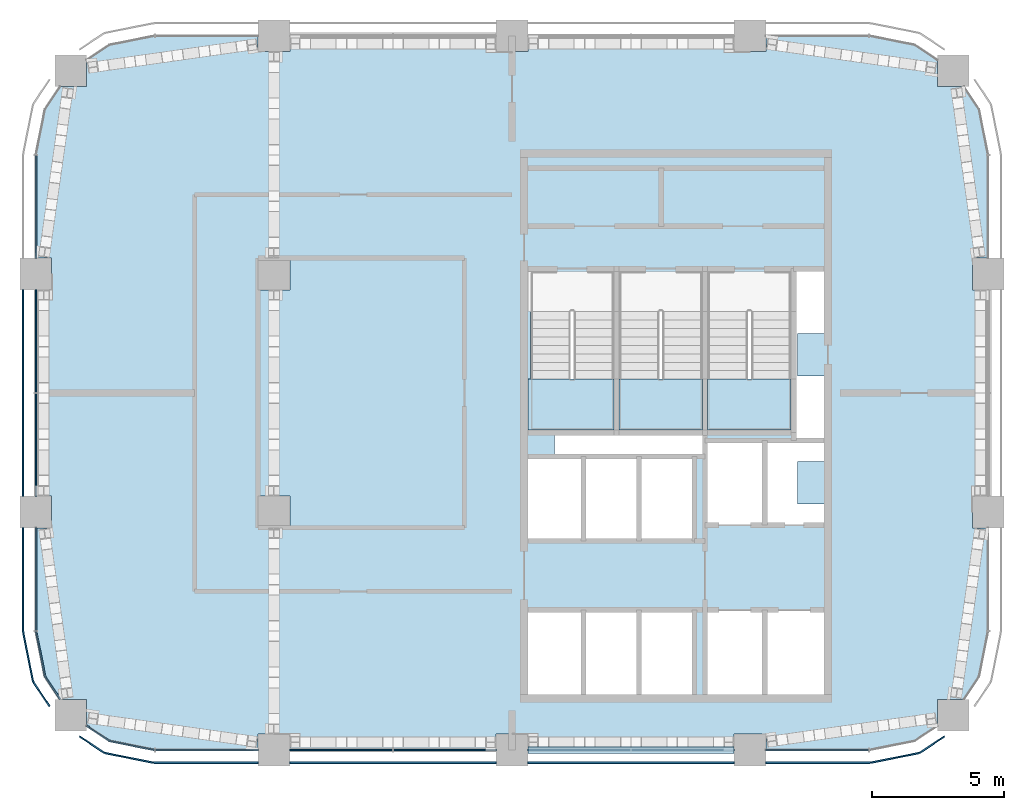
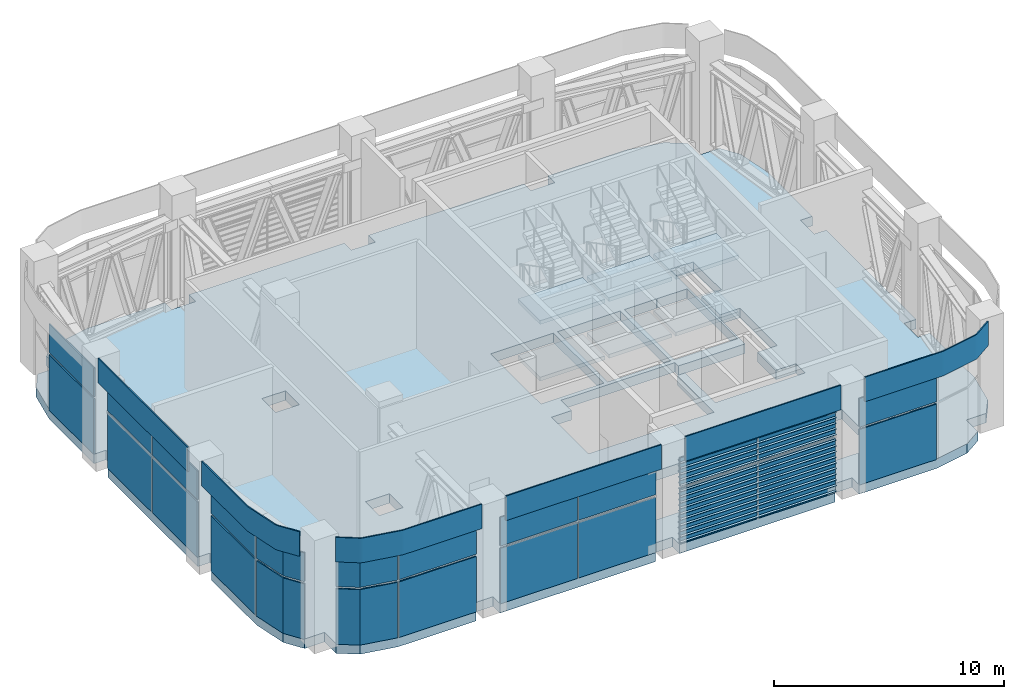
# One storey, part 6 of 14: 45 plates, 7 slabs, 10 elements without a shape of their own.
"""IFC4 building model written with IfcOpenShell, lengths in metres."""

from ifc_helpers import new_model, si_unit, direction, frame, origin, origin_2d, place, context, subcontext, project, spatial, polyline, rectangle, outline, extrude, material, layer, layer_set, type_object, element, aggregate, save


model = new_model("IFC4")

# Units and contexts
model_context = context("Model", 3, precision=1e-05, world=origin(), true_north=direction((0.0, 1.0)))
body_context = subcontext(model_context, "Body", "Model", "MODEL_VIEW")
ifc_project = project(units=[si_unit("LENGTHUNIT", "METRE"), si_unit("AREAUNIT", "SQUARE_METRE"), si_unit("VOLUMEUNIT", "CUBIC_METRE"), si_unit("PLANEANGLEUNIT", "RADIAN"), si_unit("MASSUNIT", "GRAM", prefix="KILO")], contexts=[model_context])

# Site, building, storey
site_placement = place(None, origin())
site = spatial("IfcSite", under=ifc_project, at=site_placement, CompositionType="ELEMENT")
building_placement = place(site_placement, origin())
building = spatial("IfcBuilding", under=site, at=building_placement, Name="Tessera Arch", CompositionType="ELEMENT")
storey_placement = place(building_placement, frame((0.0, 0.0, 295.199951171875)))
storey = spatial("IfcBuildingStorey", under=building, at=storey_placement, Name="L71", CompositionType="ELEMENT", Elevation=295.199951171875)

# Curtain wall, plates
ifc_material_1 = material(Name="CW7 curtain wall")
curtain_wall_type = type_object("IfcCurtainWallType", Name="CW7 curtain wall", PredefinedType="NOTDEFINED", material=ifc_material_1)
curtain_wall_1_placement = place(storey_placement, origin())
curtain_wall_1 = element("IfcCurtainWall", 1, at=curtain_wall_1_placement, inside=storey, type_object=curtain_wall_type, Name="CW7 curtain wall W18.27/0 L71", PredefinedType="NOTDEFINED")
ifc_material_2 = material(Name="Pale anodised aluminium panel", Category="aluminium")
ifc_layer_1 = layer(ifc_material_2, 0.06005859375)
ifc_layer_set_1 = layer_set([ifc_layer_1], Name="CW7 plant wall panel")
plate_type_1 = type_object("IfcPlateType", Name="CW7 plant wall panel", PredefinedType="CURTAIN_PANEL", material=ifc_layer_set_1)
plate_1_placement = place(storey_placement, frame((18.0, 47.534912109375, 0.0), z_axis=(0.0, 0.0, 1.0), x_axis=(0.0, -1.0, 0.0)))
plate_1 = element("IfcPlate", 2, at=plate_1_placement, type_object=plate_type_1, Name="CW7 plant wall panel W18.27/0 1.1", PredefinedType="CURTAIN_PANEL", context=body_context, shape_type="SweptSolid", body=[
    extrude(rectangle(XDim=3.8701171875, YDim=0.06005859375, at=origin_2d()), origin(), (0.0, 0.0, 1.0), 2.93994140625),
])
plate_2_placement = place(storey_placement, frame((18.0, 47.534912109375, 3.06005859375), z_axis=(0.0, 0.0, 1.0), x_axis=(0.0, -1.0, 0.0)))
plate_2 = element("IfcPlate", 3, at=plate_2_placement, type_object=plate_type_1, Name="CW7 plant wall panel W18.27/0 1.2", PredefinedType="CURTAIN_PANEL", context=body_context, shape_type="SweptSolid", body=[
    extrude(rectangle(XDim=3.8701171875, YDim=0.06005859375, at=origin_2d()), origin(), (0.0, 0.0, 1.0), 1.52001953125),
])
aggregate(curtain_wall_1, [plate_1, plate_2])

curtain_wall_2_placement = place(storey_placement, origin())
curtain_wall_2 = element("IfcCurtainWall", 4, at=curtain_wall_2_placement, inside=storey, type_object=curtain_wall_type, Name="CW7 curtain wall W18.27/1 L71", PredefinedType="NOTDEFINED")
plate_3_placement = place(storey_placement, frame((18.0, 42.465087890625, 0.0), z_axis=(0.0, 0.0, 1.0), x_axis=(0.0, -1.0, 0.0)))
plate_3 = element("IfcPlate", 5, at=plate_3_placement, type_object=plate_type_1, Name="CW7 plant wall panel W18.27/1 1.1.1", PredefinedType="CURTAIN_PANEL", context=body_context, shape_type="SweptSolid", body=[
    extrude(rectangle(XDim=3.8701171875, YDim=0.06005859375, at=origin_2d()), origin(), (0.0, 0.0, 1.0), 2.93994140625),
])
plate_4_placement = place(storey_placement, frame((18.0, 42.465087890625, 3.06005859375), z_axis=(0.0, 0.0, 1.0), x_axis=(0.0, -1.0, 0.0)))
plate_4 = element("IfcPlate", 6, at=plate_4_placement, type_object=plate_type_1, Name="CW7 plant wall panel W18.27/1 1.1.2", PredefinedType="CURTAIN_PANEL", context=body_context, shape_type="SweptSolid", body=[
    extrude(rectangle(XDim=3.8701171875, YDim=0.06005859375, at=origin_2d()), origin(), (0.0, 0.0, 1.0), 1.52001953125),
])
plate_5_placement = place(storey_placement, frame((18.0, 38.534912109375, 0.0), z_axis=(0.0, 0.0, 1.0), x_axis=(0.0, -1.0, 0.0)))
plate_5 = element("IfcPlate", 7, at=plate_5_placement, type_object=plate_type_1, Name="CW7 plant wall panel W18.27/1 1.2.1", PredefinedType="CURTAIN_PANEL", context=body_context, shape_type="SweptSolid", body=[
    extrude(rectangle(XDim=3.8701171875, YDim=0.06005859375, at=origin_2d()), origin(), (0.0, 0.0, 1.0), 2.93994140625),
])
plate_6_placement = place(storey_placement, frame((18.0, 38.534912109375, 3.06005859375), z_axis=(0.0, 0.0, 1.0), x_axis=(0.0, -1.0, 0.0)))
plate_6 = element("IfcPlate", 8, at=plate_6_placement, type_object=plate_type_1, Name="CW7 plant wall panel W18.27/1 1.2.2", PredefinedType="CURTAIN_PANEL", context=body_context, shape_type="SweptSolid", body=[
    extrude(rectangle(XDim=3.8701171875, YDim=0.06005859375, at=origin_2d()), origin(), (0.0, 0.0, 1.0), 1.52001953125),
])

curtain_wall_3_placement = place(storey_placement, origin())
curtain_wall_3 = element("IfcCurtainWall", 9, at=curtain_wall_3_placement, inside=storey, type_object=curtain_wall_type, Name="CW7 curtain wall W18.27/2 L71", PredefinedType="NOTDEFINED")
plate_7_placement = place(storey_placement, frame((18.0, 33.465087890625, 0.0), z_axis=(0.0, 0.0, 1.0), x_axis=(0.0, -1.0, 0.0)))
plate_7 = element("IfcPlate", 10, at=plate_7_placement, type_object=plate_type_1, Name="CW7 plant wall panel W18.27/2 1.1", PredefinedType="CURTAIN_PANEL", context=body_context, shape_type="SweptSolid", body=[
    extrude(rectangle(XDim=3.8701171875, YDim=0.06005859375, at=origin_2d()), origin(), (0.0, 0.0, 1.0), 2.93994140625),
])
plate_8_placement = place(storey_placement, origin())
plate_8 = element("IfcPlate", 11, at=plate_8_placement, type_object=plate_type_1, Name="CW7 curved plant wall panel W18.27/2 2.1", PredefinedType="CURTAIN_PANEL", context=body_context, shape_type="SweptSolid", body=[
    extrude(outline(polyline([(18.370849609375, 29.78955078125), (18.03515625, 31.476318359375), (17.976318359375, 31.46484375), (18.314208984375, 29.76611328125), (18.89208984375, 28.9013671875), (18.942138671875, 28.9345703125), (18.370849609375, 29.78955078125)])), origin(), (0.0, 0.0, 1.0), 2.93994140625),
])
plate_9_placement = place(storey_placement, frame((18.0, 33.465087890625, 3.06005859375), z_axis=(0.0, 0.0, 1.0), x_axis=(0.0, -1.0, 0.0)))
plate_9 = element("IfcPlate", 12, at=plate_9_placement, type_object=plate_type_1, Name="CW7 plant wall panel W18.27/2 1.2", PredefinedType="CURTAIN_PANEL", context=body_context, shape_type="SweptSolid", body=[
    extrude(rectangle(XDim=3.8701171875, YDim=0.06005859375, at=origin_2d()), origin(), (0.0, 0.0, 1.0), 1.52001953125),
])
plate_10_placement = place(storey_placement, frame((0.0, 0.0, 3.06005859375)))
plate_10 = element("IfcPlate", 13, at=plate_10_placement, type_object=plate_type_1, Name="CW7 curved plant wall panel W18.27/2 2.2", PredefinedType="CURTAIN_PANEL", context=body_context, shape_type="SweptSolid", body=[
    extrude(outline(polyline([(18.370849609375, 29.78955078125), (18.03515625, 31.476318359375), (17.976318359375, 31.46484375), (18.314208984375, 29.76611328125), (18.89208984375, 28.9013671875), (18.942138671875, 28.9345703125), (18.370849609375, 29.78955078125)])), origin(), (0.0, 0.0, 1.0), 1.52001953125),
])

curtain_wall_4_placement = place(storey_placement, origin())
curtain_wall_4 = element("IfcCurtainWall", 14, at=curtain_wall_4_placement, inside=storey, type_object=curtain_wall_type, Name="CW7 curtain wall S27.18/0 L71", PredefinedType="NOTDEFINED")
plate_11_placement = place(storey_placement, frame((24.465087890625, 27.0, 0.0), z_axis=(0.0, 0.0, 1.0), x_axis=(1.0, 0.0, 0.0)))
plate_11 = element("IfcPlate", 15, at=plate_11_placement, type_object=plate_type_1, Name="CW7 plant wall panel S27.18/0 1.1", PredefinedType="CURTAIN_PANEL", context=body_context, shape_type="SweptSolid", body=[
    extrude(rectangle(XDim=3.8701171875, YDim=0.06005859375, at=origin_2d()), origin(), (0.0, 0.0, 1.0), 2.93994140625),
])
plate_12_placement = place(storey_placement, origin())
plate_12 = element("IfcPlate", 16, at=plate_12_placement, type_object=plate_type_1, Name="CW7 curved plant wall panel S27.18/0 2.1", PredefinedType="CURTAIN_PANEL", context=body_context, shape_type="SweptSolid", body=[
    extrude(outline(polyline([(20.78955078125, 27.370849609375), (19.9345703125, 27.942138671875), (19.9013671875, 27.89208984375), (20.76611328125, 27.314208984375), (22.46484375, 26.976318359375), (22.476318359375, 27.03515625), (20.78955078125, 27.370849609375)])), origin(), (0.0, 0.0, 1.0), 2.93994140625),
])
plate_13_placement = place(storey_placement, frame((24.465087890625, 27.0, 3.06005859375), z_axis=(0.0, 0.0, 1.0), x_axis=(1.0, 0.0, 0.0)))
plate_13 = element("IfcPlate", 17, at=plate_13_placement, type_object=plate_type_1, Name="CW7 plant wall panel S27.18/0 1.2", PredefinedType="CURTAIN_PANEL", context=body_context, shape_type="SweptSolid", body=[
    extrude(rectangle(XDim=3.8701171875, YDim=0.06005859375, at=origin_2d()), origin(), (0.0, 0.0, 1.0), 1.52001953125),
])
plate_14_placement = place(storey_placement, frame((0.0, 0.0, 3.06005859375)))
plate_14 = element("IfcPlate", 18, at=plate_14_placement, type_object=plate_type_1, Name="CW7 curved plant wall panel S27.18/0 2.2", PredefinedType="CURTAIN_PANEL", context=body_context, shape_type="SweptSolid", body=[
    extrude(outline(polyline([(20.78955078125, 27.370849609375), (19.9345703125, 27.942138671875), (19.9013671875, 27.89208984375), (20.76611328125, 27.314208984375), (22.46484375, 26.976318359375), (22.476318359375, 27.03515625), (20.78955078125, 27.370849609375)])), origin(), (0.0, 0.0, 1.0), 1.52001953125),
])

curtain_wall_5_placement = place(storey_placement, origin())
curtain_wall_5 = element("IfcCurtainWall", 19, at=curtain_wall_5_placement, inside=storey, type_object=curtain_wall_type, Name="CW7 curtain wall S27.18/1 L71", PredefinedType="NOTDEFINED")
plate_15_placement = place(storey_placement, frame((29.534912109375, 27.0, 0.0), z_axis=(0.0, 0.0, 1.0), x_axis=(1.0, 0.0, 0.0)))
plate_15 = element("IfcPlate", 20, at=plate_15_placement, type_object=plate_type_1, Name="CW7 plant wall panel S27.18/1 1.1.1", PredefinedType="CURTAIN_PANEL", context=body_context, shape_type="SweptSolid", body=[
    extrude(rectangle(XDim=3.8701171875, YDim=0.06005859375, at=origin_2d()), origin(), (0.0, 0.0, 1.0), 2.93994140625),
])
plate_16_placement = place(storey_placement, frame((29.534912109375, 27.0, 3.06005859375), z_axis=(0.0, 0.0, 1.0), x_axis=(1.0, 0.0, 0.0)))
plate_16 = element("IfcPlate", 21, at=plate_16_placement, type_object=plate_type_1, Name="CW7 plant wall panel S27.18/1 1.1.2", PredefinedType="CURTAIN_PANEL", context=body_context, shape_type="SweptSolid", body=[
    extrude(rectangle(XDim=3.8701171875, YDim=0.06005859375, at=origin_2d()), origin(), (0.0, 0.0, 1.0), 1.52001953125),
])
plate_17_placement = place(storey_placement, frame((33.465087890625, 27.0, 0.0), z_axis=(0.0, 0.0, 1.0), x_axis=(1.0, 0.0, 0.0)))
plate_17 = element("IfcPlate", 22, at=plate_17_placement, type_object=plate_type_1, Name="CW7 plant wall panel S27.18/1 1.2.1", PredefinedType="CURTAIN_PANEL", context=body_context, shape_type="SweptSolid", body=[
    extrude(rectangle(XDim=3.8701171875, YDim=0.06005859375, at=origin_2d()), origin(), (0.0, 0.0, 1.0), 2.93994140625),
])
plate_18_placement = place(storey_placement, frame((33.465087890625, 27.0, 3.06005859375), z_axis=(0.0, 0.0, 1.0), x_axis=(1.0, 0.0, 0.0)))
plate_18 = element("IfcPlate", 23, at=plate_18_placement, type_object=plate_type_1, Name="CW7 plant wall panel S27.18/1 1.2.2", PredefinedType="CURTAIN_PANEL", context=body_context, shape_type="SweptSolid", body=[
    extrude(rectangle(XDim=3.8701171875, YDim=0.06005859375, at=origin_2d()), origin(), (0.0, 0.0, 1.0), 1.52001953125),
])

curtain_wall_6_placement = place(storey_placement, origin())
curtain_wall_6 = element("IfcCurtainWall", 24, at=curtain_wall_6_placement, inside=storey, type_object=curtain_wall_type, Name="CW7 curtain wall S27.18/2 L71", PredefinedType="NOTDEFINED")
plate_19_placement = place(storey_placement, frame((38.534912109375, 27.0, 0.0), z_axis=(0.0, 0.0, 1.0), x_axis=(1.0, 0.0, 0.0)))
plate_19 = element("IfcPlate", 25, at=plate_19_placement, type_object=plate_type_1, Name="CW7 plant wall panel S27.18/2 1.1.1", PredefinedType="CURTAIN_PANEL", context=body_context, shape_type="SweptSolid", body=[
    extrude(rectangle(XDim=3.8701171875, YDim=0.06005859375, at=origin_2d()), origin(), (0.0, 0.0, 1.0), 2.93994140625),
])
plate_20_placement = place(storey_placement, frame((38.534912109375, 27.0, 3.06005859375), z_axis=(0.0, 0.0, 1.0), x_axis=(1.0, 0.0, 0.0)))
plate_20 = element("IfcPlate", 26, at=plate_20_placement, type_object=plate_type_1, Name="CW7 plant wall panel S27.18/2 1.1.2", PredefinedType="CURTAIN_PANEL", context=body_context, shape_type="SweptSolid", body=[
    extrude(rectangle(XDim=3.8701171875, YDim=0.06005859375, at=origin_2d()), origin(), (0.0, 0.0, 1.0), 1.52001953125),
])
plate_21_placement = place(storey_placement, frame((42.465087890625, 27.0, 0.0), z_axis=(0.0, 0.0, 1.0), x_axis=(1.0, 0.0, 0.0)))
plate_21 = element("IfcPlate", 27, at=plate_21_placement, type_object=plate_type_1, Name="CW7 plant wall panel S27.18/2 1.2.1", PredefinedType="CURTAIN_PANEL", context=body_context, shape_type="SweptSolid", body=[
    extrude(rectangle(XDim=3.8701171875, YDim=0.06005859375, at=origin_2d()), origin(), (0.0, 0.0, 1.0), 2.93994140625),
])
plate_22_placement = place(storey_placement, frame((42.465087890625, 27.0, 3.06005859375), z_axis=(0.0, 0.0, 1.0), x_axis=(1.0, 0.0, 0.0)))
plate_22 = element("IfcPlate", 28, at=plate_22_placement, type_object=plate_type_1, Name="CW7 plant wall panel S27.18/2 1.2.2", PredefinedType="CURTAIN_PANEL", context=body_context, shape_type="SweptSolid", body=[
    extrude(rectangle(XDim=3.8701171875, YDim=0.06005859375, at=origin_2d()), origin(), (0.0, 0.0, 1.0), 1.52001953125),
])

curtain_wall_7_placement = place(storey_placement, origin())
curtain_wall_7 = element("IfcCurtainWall", 29, at=curtain_wall_7_placement, inside=storey, type_object=curtain_wall_type, Name="CW7 curtain wall S27.18/3 L71", PredefinedType="NOTDEFINED")
plate_23_placement = place(storey_placement, frame((47.534912109375, 27.0, 0.0), z_axis=(0.0, 0.0, 1.0), x_axis=(1.0, 0.0, 0.0)))
plate_23 = element("IfcPlate", 30, at=plate_23_placement, type_object=plate_type_1, Name="CW7 plant wall panel S27.18/3 1.1", PredefinedType="CURTAIN_PANEL", context=body_context, shape_type="SweptSolid", body=[
    extrude(rectangle(XDim=3.8701171875, YDim=0.06005859375, at=origin_2d()), origin(), (0.0, 0.0, 1.0), 2.93994140625),
])
plate_24_placement = place(storey_placement, frame((47.534912109375, 27.0, 3.06005859375), z_axis=(0.0, 0.0, 1.0), x_axis=(1.0, 0.0, 0.0)))
plate_24 = element("IfcPlate", 31, at=plate_24_placement, type_object=plate_type_1, Name="CW7 plant wall panel S27.18/3 1.2", PredefinedType="CURTAIN_PANEL", context=body_context, shape_type="SweptSolid", body=[
    extrude(rectangle(XDim=3.8701171875, YDim=0.06005859375, at=origin_2d()), origin(), (0.0, 0.0, 1.0), 1.52001953125),
])

# Plate
ifc_material_3 = material(Name="Pale anodised aluminium panel", Category="aluminium")
ifc_layer_2 = layer(ifc_material_3, 0.06005859375)
ifc_layer_set_2 = layer_set([ifc_layer_2], Name="CW7 spandrel panel")
plate_type_2 = type_object("IfcPlateType", Name="CW7 spandrel panel", PredefinedType="CURTAIN_PANEL", material=ifc_layer_set_2)
plate_25_placement = place(storey_placement, frame((17.52001953125, 40.5, 4.7001953125), z_axis=(0.0, 0.0, 1.0), x_axis=(0.0, -1.0, 0.0)))
plate_25 = element("IfcPlate", 32, at=plate_25_placement, type_object=plate_type_2, Name="CW7 spandrel panel W18.27/1", PredefinedType="CURTAIN_PANEL", context=body_context, shape_type="SweptSolid", body=[
    extrude(rectangle(XDim=7.800048828125, YDim=0.06005859375, at=origin_2d()), origin(), (0.0, 0.0, 1.0), 1.300048828125),
])

aggregate(curtain_wall_2, [plate_3, plate_4, plate_5, plate_6, plate_25])

plate_26_placement = place(storey_placement, frame((0.0, 0.0, 4.699951171875)))
plate_26 = element("IfcPlate", 33, at=plate_26_placement, type_object=plate_type_2, Name="CW7 spandrel panel W18.27/2", PredefinedType="CURTAIN_PANEL", context=body_context, shape_type="SweptSolid", body=[
    extrude(outline(polyline([(17.550048828125, 31.500732421875), (17.550048828125, 35.39990234375), (17.489990234375, 35.39990234375), (17.489990234375, 31.499267578125), (17.492431640625, 31.449951171875), (17.499755859375, 31.401123046875), (17.842529296875, 29.677734375), (17.8544921875, 29.6298828125), (17.871337890625, 29.582763671875), (17.892578125, 29.537353515625), (17.91796875, 29.4951171875), (18.4931640625, 28.634765625), (18.54296875, 28.66796875), (17.96875, 29.52734375), (17.945556640625, 29.565673828125), (17.9267578125, 29.605712890625), (17.911865234375, 29.647216796875), (17.90087890625, 29.69091796875), (17.558837890625, 31.411376953125), (17.55224609375, 31.455810546875), (17.550048828125, 31.500732421875)])), origin(), (0.0, 0.0, 1.0), 1.300048828125),
])

aggregate(curtain_wall_3, [plate_7, plate_8, plate_9, plate_10, plate_26])

plate_27_placement = place(storey_placement, frame((0.0, 0.0, 4.699951171875)))
plate_27 = element("IfcPlate", 34, at=plate_27_placement, type_object=plate_type_2, Name="CW7 spandrel panel S27.18/0", PredefinedType="CURTAIN_PANEL", context=body_context, shape_type="SweptSolid", body=[
    extrude(outline(polyline([(20.52734375, 26.96875), (19.66796875, 27.54296875), (19.634765625, 27.4931640625), (20.4951171875, 26.91796875), (20.537353515625, 26.892578125), (20.582763671875, 26.871337890625), (20.6298828125, 26.8544921875), (20.677734375, 26.842529296875), (22.401123046875, 26.499755859375), (22.449951171875, 26.492431640625), (22.499267578125, 26.489990234375), (26.39990234375, 26.489990234375), (26.39990234375, 26.550048828125), (22.500732421875, 26.550048828125), (22.455810546875, 26.55224609375), (22.411376953125, 26.558837890625), (20.69091796875, 26.90087890625), (20.647216796875, 26.911865234375), (20.605712890625, 26.9267578125), (20.565673828125, 26.945556640625), (20.52734375, 26.96875)])), origin(), (0.0, 0.0, 1.0), 1.300048828125),
])

aggregate(curtain_wall_4, [plate_11, plate_12, plate_13, plate_14, plate_27])

plate_28_placement = place(storey_placement, frame((31.5, 26.52001953125, 4.7001953125), z_axis=(0.0, 0.0, 1.0), x_axis=(1.0, 0.0, 0.0)))
plate_28 = element("IfcPlate", 35, at=plate_28_placement, type_object=plate_type_2, Name="CW7 spandrel panel S27.18/1", PredefinedType="CURTAIN_PANEL", context=body_context, shape_type="SweptSolid", body=[
    extrude(rectangle(XDim=7.800048828125, YDim=0.06005859375, at=origin_2d()), origin(), (0.0, 0.0, 1.0), 1.300048828125),
])

aggregate(curtain_wall_5, [plate_15, plate_16, plate_17, plate_18, plate_28])

plate_29_placement = place(storey_placement, frame((40.5, 26.52001953125, 4.7001953125), z_axis=(0.0, 0.0, 1.0), x_axis=(1.0, 0.0, 0.0)))
plate_29 = element("IfcPlate", 36, at=plate_29_placement, type_object=plate_type_2, Name="CW7 spandrel panel S27.18/2", PredefinedType="CURTAIN_PANEL", context=body_context, shape_type="SweptSolid", body=[
    extrude(rectangle(XDim=7.800048828125, YDim=0.06005859375, at=origin_2d()), origin(), (0.0, 0.0, 1.0), 1.300048828125),
])

aggregate(curtain_wall_6, [plate_19, plate_20, plate_21, plate_22, plate_29])

plate_30_placement = place(storey_placement, frame((0.0, 0.0, 4.699951171875)))
plate_30 = element("IfcPlate", 37, at=plate_30_placement, type_object=plate_type_2, Name="CW7 spandrel panel S27.18/3", PredefinedType="CURTAIN_PANEL", context=body_context, shape_type="SweptSolid", body=[
    extrude(outline(polyline([(49.499267578125, 26.550048828125), (45.60009765625, 26.550048828125), (45.60009765625, 26.489990234375), (49.500732421875, 26.489990234375), (49.550048828125, 26.492431640625), (49.598876953125, 26.499755859375), (51.322265625, 26.842529296875), (51.3701171875, 26.8544921875), (51.417236328125, 26.871337890625), (51.462646484375, 26.892578125), (51.5048828125, 26.91796875), (52.365234375, 27.4931640625), (52.33203125, 27.54296875), (51.47265625, 26.96875), (51.434326171875, 26.945556640625), (51.394287109375, 26.9267578125), (51.352783203125, 26.911865234375), (51.30908203125, 26.90087890625), (49.588623046875, 26.558837890625), (49.544189453125, 26.55224609375), (49.499267578125, 26.550048828125)])), origin(), (0.0, 0.0, 1.0), 1.300048828125),
])

aggregate(curtain_wall_7, [plate_23, plate_24, plate_30])

# Slab
ifc_material_4 = material(Name="Concrete C40/50", Category="concrete")
ifc_layer_3 = layer(ifc_material_4, 0.5)
ifc_layer_set_3 = layer_set([ifc_layer_3], Name="Floor slab 500 Concrete C40/50")
slab_type_1 = type_object("IfcSlabType", Name="Floor slab 500 Concrete C40/50", PredefinedType="FLOOR", material=ifc_layer_set_3)
slab_1_placement = place(storey_placement, frame((0.0, 0.0, -0.5)))
element("IfcSlab", 38, at=slab_1_placement, inside=storey, type_object=slab_type_1, Name="Floor slab L71 1", PredefinedType="FLOOR", context=body_context, shape_type="SweptSolid", body=[
    extrude(outline(polyline([(54.0, 31.5), (53.657470703125, 29.77783203125), (53.0830078125, 28.91796875), (52.08203125, 28.91796875), (52.08203125, 27.9169921875), (51.22216796875, 27.342529296875), (49.5, 27.0), (45.60009765625, 27.0), (45.60009765625, 27.60009765625), (44.39990234375, 27.60009765625), (44.39990234375, 27.0), (36.60009765625, 27.0), (36.60009765625, 27.60009765625), (35.39990234375, 27.60009765625), (35.39990234375, 27.0), (27.60009765625, 27.0), (27.60009765625, 27.60009765625), (26.39990234375, 27.60009765625), (26.39990234375, 27.0), (22.5, 27.0), (20.77783203125, 27.342529296875), (19.91796875, 27.9169921875), (19.91796875, 28.91796875), (18.9169921875, 28.91796875), (18.342529296875, 29.77783203125), (18.0, 31.5), (18.0, 35.39990234375), (18.60009765625, 35.39990234375), (18.60009765625, 36.60009765625), (18.0, 36.60009765625), (18.0, 44.39990234375), (18.60009765625, 44.39990234375), (18.60009765625, 45.60009765625), (18.0, 45.60009765625), (18.0, 49.5), (18.342529296875, 51.22216796875), (18.9169921875, 52.08203125), (19.91796875, 52.08203125), (19.91796875, 53.0830078125), (20.77783203125, 53.657470703125), (22.5, 54.0), (26.39990234375, 54.0), (26.39990234375, 53.39990234375), (27.60009765625, 53.39990234375), (27.60009765625, 54.0), (35.39990234375, 54.0), (35.39990234375, 53.39990234375), (36.60009765625, 53.39990234375), (36.60009765625, 54.0), (44.39990234375, 54.0), (44.39990234375, 53.39990234375), (45.60009765625, 53.39990234375), (45.60009765625, 54.0), (49.5, 54.0), (51.22216796875, 53.657470703125), (52.08203125, 53.0830078125), (52.08203125, 52.08203125), (53.0830078125, 52.08203125), (53.657470703125, 51.22216796875), (54.0, 49.5), (54.0, 45.60009765625), (53.39990234375, 45.60009765625), (53.39990234375, 44.39990234375), (54.0, 44.39990234375), (54.0, 36.60009765625), (53.39990234375, 36.60009765625), (53.39990234375, 35.39990234375), (54.0, 35.39990234375), (54.0, 31.5)]), holes=[polyline([(40.800048828125, 29.10009765625), (42.89990234375, 29.10009765625), (42.89990234375, 32.300048828125), (40.800048828125, 32.300048828125), (38.699951171875, 32.300048828125), (36.60009765625, 32.300048828125), (36.60009765625, 29.10009765625), (38.699951171875, 29.10009765625), (40.800048828125, 29.10009765625)]), polyline([(27.60009765625, 35.39990234375), (27.60009765625, 36.60009765625), (26.39990234375, 36.60009765625), (26.39990234375, 35.39990234375), (27.60009765625, 35.39990234375)]), polyline([(37.60009765625, 39.0), (37.60009765625, 38.10009765625), (36.60009765625, 38.10009765625), (36.60009765625, 34.89990234375), (38.699951171875, 34.89990234375), (40.800048828125, 34.89990234375), (42.89990234375, 34.89990234375), (42.89990234375, 38.10009765625), (43.300048828125, 38.10009765625), (43.300048828125, 35.5), (45.550048828125, 35.5), (47.800048828125, 35.5), (47.800048828125, 36.300048828125), (46.800048828125, 36.300048828125), (46.800048828125, 37.89990234375), (47.800048828125, 37.89990234375), (47.800048828125, 38.699951171875), (47.800048828125, 41.14990234375), (46.800048828125, 41.14990234375), (46.800048828125, 42.75), (47.800048828125, 42.75), (47.800048828125, 45.199951171875), (46.64990234375, 45.199951171875), (46.64990234375, 38.699951171875), (45.550048828125, 38.699951171875), (43.300048828125, 38.699951171875), (43.300048828125, 39.0), (37.60009765625, 39.0)]), polyline([(38.219970703125, 43.580078125), (38.219970703125, 43.570068359375), (36.699951171875, 43.570068359375), (36.699951171875, 39.199951171875), (39.85009765625, 39.199951171875), (39.85009765625, 43.570068359375), (38.330078125, 43.570068359375), (38.330078125, 43.580078125), (38.219970703125, 43.580078125)]), polyline([(27.60009765625, 44.39990234375), (27.60009765625, 45.60009765625), (26.39990234375, 45.60009765625), (26.39990234375, 44.39990234375), (27.60009765625, 44.39990234375)]), polyline([(47.800048828125, 32.300048828125), (45.550048828125, 32.300048828125), (43.300048828125, 32.300048828125), (43.300048828125, 29.10009765625), (45.550048828125, 29.10009765625), (47.800048828125, 29.10009765625), (47.800048828125, 32.300048828125)]), polyline([(41.570068359375, 43.580078125), (41.570068359375, 43.570068359375), (40.050048828125, 43.570068359375), (40.050048828125, 39.199951171875), (43.199951171875, 39.199951171875), (43.199951171875, 43.570068359375), (41.679931640625, 43.570068359375), (41.679931640625, 43.580078125), (41.570068359375, 43.580078125)]), polyline([(44.919921875, 43.580078125), (44.919921875, 43.570068359375), (43.39990234375, 43.570068359375), (43.39990234375, 39.199951171875), (46.550048828125, 39.199951171875), (46.550048828125, 43.570068359375), (45.030029296875, 43.570068359375), (45.030029296875, 43.580078125), (44.919921875, 43.580078125)])]), origin(), (0.0, 0.0, 1.0), 0.5),
])

# Plates
ifc_material_5 = material(Name="Aluminium louvre pale metal anodised", Category="aluminium")
ifc_layer_4 = layer(ifc_material_5, 0.02001953125)
ifc_layer_set_4 = layer_set([ifc_layer_4], Name="Plant louvre blade")
plate_type_3 = type_object("IfcPlateType", Name="Plant louvre blade", PredefinedType="USERDEFINED", material=ifc_layer_set_4)
plate_31_placement = place(storey_placement, frame((36.60009765625, 26.875, 0.150146484375), z_axis=(0.0, -0.269001893813, 0.963139647779), x_axis=(1.0, 0.0, 0.0)))
element("IfcPlate", 39, at=plate_31_placement, inside=storey, type_object=plate_type_3, Name="Louvre blade S27.18/2 1", ObjectType="LOUVER", PredefinedType="USERDEFINED", context=body_context, shape_type="SweptSolid", body=[
    extrude(outline(polyline([(0.0, 0.0), (7.7998046875, 0.0), (7.7998046875, 0.25956775902266416), (0.0, 0.25956775902266416), (0.0, 0.0)])), origin(), (0.0, 0.0, -1.0), 0.02001953125),
])
for number, where, z_axis, x_axis, name in (
    (40, (36.60009765625, 26.875, 0.449951171875), (0.0, -0.269874067237, 0.962895626656), (1.0, 0.0, 0.0), "Louvre blade S27.18/2 2"),
    (41, (36.60009765625, 26.875, 0.75), (0.0, -0.269874067237, 0.962895626656), (1.0, 0.0, 0.0), "Louvre blade S27.18/2 3"),
    (42, (36.60009765625, 26.875, 1.050048828125), (0.0, -0.269874067237, 0.962895626656), (1.0, 0.0, 0.0), "Louvre blade S27.18/2 4"),
    (43, (36.60009765625, 26.875, 1.35009765625), (0.0, -0.269874067237, 0.962895626656), (1.0, 0.0, 0.0), "Louvre blade S27.18/2 5"),
):
    element("IfcPlate", number, at=place(storey_placement, frame(where, z_axis=z_axis, x_axis=x_axis)), inside=storey, type_object=plate_type_3, Name=name, ObjectType="LOUVER", PredefinedType="USERDEFINED", context=body_context, shape_type="SweptSolid", body=[
        extrude(outline(polyline([(0.0, 0.0), (7.7998046875, 0.0), (7.7998046875, 0.25963353979311715), (0.0, 0.25963353979311715), (0.0, 0.0)])), origin(), (0.0, 0.0, -1.0), 0.02001953125),
    ])
plate_32_placement = place(storey_placement, frame((36.60009765625, 26.875, 1.650146484375), z_axis=(0.0, -0.269001893813, 0.963139647779), x_axis=(1.0, 0.0, 0.0)))
element("IfcPlate", 44, at=plate_32_placement, inside=storey, type_object=plate_type_3, Name="Louvre blade S27.18/2 6", ObjectType="LOUVER", PredefinedType="USERDEFINED", context=body_context, shape_type="SweptSolid", body=[
    extrude(outline(polyline([(0.0, 0.0), (7.7998046875, 0.0), (7.7998046875, 0.25956775902266416), (0.0, 0.25956775902266416), (0.0, 0.0)])), origin(), (0.0, 0.0, -1.0), 0.02001953125),
])
for number, where, z_axis, x_axis, name in (
    (45, (36.60009765625, 26.875, 1.949951171875), (0.0, -0.269874067237, 0.962895626656), (1.0, 0.0, 0.0), "Louvre blade S27.18/2 7"),
    (46, (36.60009765625, 26.875, 2.25), (0.0, -0.269874067237, 0.962895626656), (1.0, 0.0, 0.0), "Louvre blade S27.18/2 8"),
    (47, (36.60009765625, 26.875, 2.550048828125), (0.0, -0.269874067237, 0.962895626656), (1.0, 0.0, 0.0), "Louvre blade S27.18/2 9"),
    (48, (36.60009765625, 26.875, 2.85009765625), (0.0, -0.269874067237, 0.962895626656), (1.0, 0.0, 0.0), "Louvre blade S27.18/2 10"),
):
    element("IfcPlate", number, at=place(storey_placement, frame(where, z_axis=z_axis, x_axis=x_axis)), inside=storey, type_object=plate_type_3, Name=name, ObjectType="LOUVER", PredefinedType="USERDEFINED", context=body_context, shape_type="SweptSolid", body=[
        extrude(outline(polyline([(0.0, 0.0), (7.7998046875, 0.0), (7.7998046875, 0.25963353979311715), (0.0, 0.25963353979311715), (0.0, 0.0)])), origin(), (0.0, 0.0, -1.0), 0.02001953125),
    ])
plate_33_placement = place(storey_placement, frame((36.60009765625, 26.875, 3.150146484375), z_axis=(0.0, -0.269001893813, 0.963139647779), x_axis=(1.0, 0.0, 0.0)))
element("IfcPlate", 49, at=plate_33_placement, inside=storey, type_object=plate_type_3, Name="Louvre blade S27.18/2 11", ObjectType="LOUVER", PredefinedType="USERDEFINED", context=body_context, shape_type="SweptSolid", body=[
    extrude(outline(polyline([(0.0, 0.0), (7.7998046875, 0.0), (7.7998046875, 0.25956775902266416), (0.0, 0.25956775902266416), (0.0, 0.0)])), origin(), (0.0, 0.0, -1.0), 0.02001953125),
])
for number, where, z_axis, x_axis, name in (
    (50, (36.60009765625, 26.875, 3.449951171875), (0.0, -0.269874067237, 0.962895626656), (1.0, 0.0, 0.0), "Louvre blade S27.18/2 12"),
    (51, (36.60009765625, 26.875, 3.75), (0.0, -0.269874067237, 0.962895626656), (1.0, 0.0, 0.0), "Louvre blade S27.18/2 13"),
    (52, (36.60009765625, 26.875, 4.050048828125), (0.0, -0.269874067237, 0.962895626656), (1.0, 0.0, 0.0), "Louvre blade S27.18/2 14"),
    (53, (36.60009765625, 26.875, 4.35009765625), (0.0, -0.269874067237, 0.962895626656), (1.0, 0.0, 0.0), "Louvre blade S27.18/2 15"),
):
    element("IfcPlate", number, at=place(storey_placement, frame(where, z_axis=z_axis, x_axis=x_axis)), inside=storey, type_object=plate_type_3, Name=name, ObjectType="LOUVER", PredefinedType="USERDEFINED", context=body_context, shape_type="SweptSolid", body=[
        extrude(outline(polyline([(0.0, 0.0), (7.7998046875, 0.0), (7.7998046875, 0.25963353979311715), (0.0, 0.25963353979311715), (0.0, 0.0)])), origin(), (0.0, 0.0, -1.0), 0.02001953125),
    ])

# Stair, slabs
ifc_material_6 = material(Name="Concrete C40/50", Category="concrete")
stair_type = type_object("IfcStairType", Name="Dogleg stair 1520", PredefinedType="HALF_TURN_STAIR", material=ifc_material_6)
stair_1_placement = place(storey_placement, origin())
stair_1 = element("IfcStair", 54, at=stair_1_placement, inside=storey, type_object=stair_type, Name="L71 S1a", PredefinedType="HALF_TURN_STAIR")
ifc_material_7 = material(Name="Concrete C40/50", Category="concrete")
ifc_layer_5 = layer(ifc_material_7, 0.300048828125)
ifc_layer_set_5 = layer_set([ifc_layer_5], Name="Stair landing 300")
slab_type_2 = type_object("IfcSlabType", Name="Stair landing 300", PredefinedType="LANDING", material=ifc_layer_set_5)
slab_2_placement = place(storey_placement, frame((0.0, 0.0, 1.300048828125)))
slab_2 = element("IfcSlab", 55, at=slab_2_placement, type_object=slab_type_2, Name="S1a landing 1", PredefinedType="LANDING", context=body_context, shape_type="SweptSolid", body=[
    extrude(outline(polyline([(36.60009765625, 41.02001953125), (36.60009765625, 39.10009765625), (39.85009765625, 39.10009765625), (39.85009765625, 41.02001953125), (36.60009765625, 41.02001953125)])), origin(), (0.0, 0.0, 1.0), 0.199951171875),
])
slab_3_placement = place(storey_placement, frame((0.0, 0.0, 4.300048828125)))
slab_3 = element("IfcSlab", 56, at=slab_3_placement, type_object=slab_type_2, Name="S1a landing 3", PredefinedType="LANDING", context=body_context, shape_type="SweptSolid", body=[
    extrude(outline(polyline([(36.60009765625, 41.02001953125), (36.60009765625, 39.10009765625), (39.85009765625, 39.10009765625), (39.85009765625, 41.02001953125), (36.60009765625, 41.02001953125)])), origin(), (0.0, 0.0, 1.0), 0.199951171875),
])
aggregate(stair_1, [slab_2, slab_3])

stair_2_placement = place(storey_placement, origin())
stair_2 = element("IfcStair", 57, at=stair_2_placement, inside=storey, type_object=stair_type, Name="L71 S1b", PredefinedType="HALF_TURN_STAIR")
slab_4_placement = place(storey_placement, frame((0.0, 0.0, 1.300048828125)))
slab_4 = element("IfcSlab", 58, at=slab_4_placement, type_object=slab_type_2, Name="S1b landing 1", PredefinedType="LANDING", context=body_context, shape_type="SweptSolid", body=[
    extrude(outline(polyline([(40.050048828125, 41.02001953125), (40.050048828125, 39.10009765625), (43.199951171875, 39.10009765625), (43.199951171875, 41.02001953125), (40.050048828125, 41.02001953125)])), origin(), (0.0, 0.0, 1.0), 0.199951171875),
])
slab_5_placement = place(storey_placement, frame((0.0, 0.0, 4.300048828125)))
slab_5 = element("IfcSlab", 59, at=slab_5_placement, type_object=slab_type_2, Name="S1b landing 3", PredefinedType="LANDING", context=body_context, shape_type="SweptSolid", body=[
    extrude(outline(polyline([(40.050048828125, 41.02001953125), (40.050048828125, 39.10009765625), (43.199951171875, 39.10009765625), (43.199951171875, 41.02001953125), (40.050048828125, 41.02001953125)])), origin(), (0.0, 0.0, 1.0), 0.199951171875),
])
aggregate(stair_2, [slab_4, slab_5])

stair_3_placement = place(storey_placement, origin())
stair_3 = element("IfcStair", 60, at=stair_3_placement, inside=storey, type_object=stair_type, Name="L71 S1c", PredefinedType="HALF_TURN_STAIR")
slab_6_placement = place(storey_placement, frame((0.0, 0.0, 1.300048828125)))
slab_6 = element("IfcSlab", 61, at=slab_6_placement, type_object=slab_type_2, Name="S1c landing 1", PredefinedType="LANDING", context=body_context, shape_type="SweptSolid", body=[
    extrude(outline(polyline([(43.39990234375, 41.02001953125), (43.39990234375, 39.10009765625), (46.550048828125, 39.10009765625), (46.550048828125, 41.02001953125), (43.39990234375, 41.02001953125)])), origin(), (0.0, 0.0, 1.0), 0.199951171875),
])
slab_7_placement = place(storey_placement, frame((0.0, 0.0, 4.300048828125)))
slab_7 = element("IfcSlab", 62, at=slab_7_placement, type_object=slab_type_2, Name="S1c landing 3", PredefinedType="LANDING", context=body_context, shape_type="SweptSolid", body=[
    extrude(outline(polyline([(43.39990234375, 41.02001953125), (43.39990234375, 39.10009765625), (46.550048828125, 39.10009765625), (46.550048828125, 41.02001953125), (43.39990234375, 41.02001953125)])), origin(), (0.0, 0.0, 1.0), 0.199951171875),
])
aggregate(stair_3, [slab_6, slab_7])

save(model, "model.ifc")
